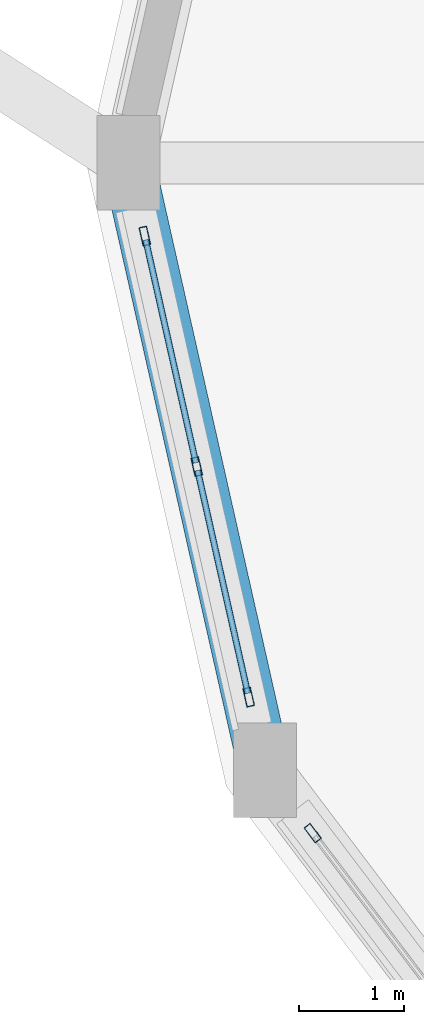
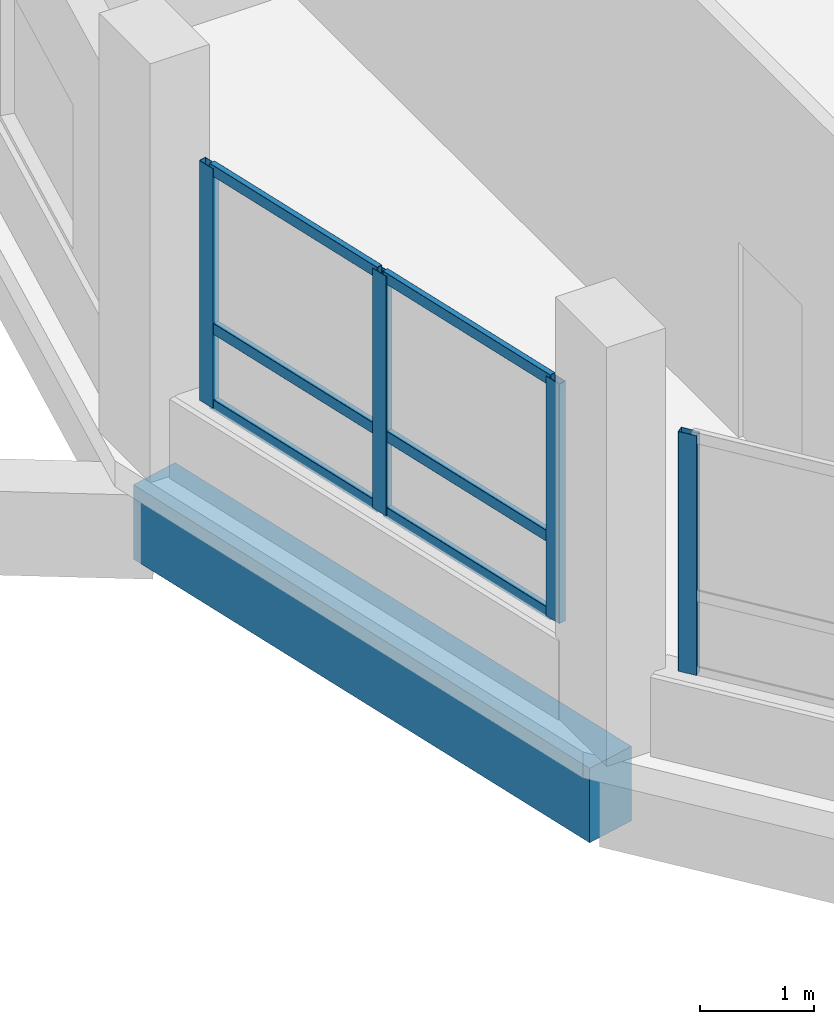
# One storey, part 57 of 129: 10 members, 1 beam, 2 elements without a shape of their own.
"""IFC4 building model written with IfcOpenShell, lengths in metres."""

from ifc_helpers import new_model, si_unit, direction, frame, origin, origin_2d, place, context, subcontext, project, spatial, rectangle, hollow_rectangle, extrude, material, layer, layer_set, material_profile, profile_set, type_object, element, aggregate, save


model = new_model("IFC4")

# Units and contexts
model_context = context("Model", 3, precision=1e-05, world=origin(), true_north=direction((0.0, 1.0)))
body_context = subcontext(model_context, "Body", "Model", "MODEL_VIEW")
ifc_project = project(units=[si_unit("LENGTHUNIT", "METRE"), si_unit("AREAUNIT", "SQUARE_METRE"), si_unit("VOLUMEUNIT", "CUBIC_METRE"), si_unit("PLANEANGLEUNIT", "RADIAN"), si_unit("MASSUNIT", "GRAM", prefix="KILO")], contexts=[model_context])

# Site, building, storey
site_placement = place(None, origin())
site = spatial("IfcSite", under=ifc_project, at=site_placement, CompositionType="ELEMENT")
building_placement = place(site_placement, origin())
building = spatial("IfcBuilding", under=site, at=building_placement, Name="Vespera Passage Community Centre", CompositionType="ELEMENT")
storey_placement = place(building_placement, origin())
storey = spatial("IfcBuildingStorey", under=building, at=storey_placement, Name="L00", CompositionType="ELEMENT", Elevation=0.0)

# Beam
ifc_material_1 = material(Name="Concrete f'c 35 MPa", Category="concrete")
ifc_material_profile_1 = material_profile(ifc_material_1, rectangle(XDim=0.5, YDim=0.800048828125, at=origin_2d()), Name="RC500X800")
ifc_profile_set_1 = profile_set([ifc_material_profile_1], Name="Concrete f'c 35 MPa")
beam_type = type_object("IfcBeamType", Name="BM-SP-500X800E", PredefinedType="SPANDREL", material=ifc_profile_set_1)
beam_placement = place(storey_placement, frame((125.89990234375, 89.5, -0.679931640625), z_axis=(0.219766204697, -0.9755525692, 0.0), x_axis=(0.9755525692, 0.219766204697, 0.0)))
element("IfcBeam", 1, at=beam_placement, inside=storey, type_object=beam_type, Name="V2 L00 Perimeter Spandrel 9", PredefinedType="SPANDREL", context=body_context, shape_type="SweptSolid", body=[
    extrude(rectangle(XDim=0.5, YDim=0.800048828125, at=origin_2d()), origin(), (0.0, 0.0, 1.0), 5.92333984375),
])

# Curtain wall, members
ifc_material_2 = material(Name="Anodized aluminium 6063-T6", Category="aluminium")
ifc_layer_1 = layer(ifc_material_2, 0.159912109375)
ifc_layer_set_1 = layer_set([ifc_layer_1], Name="Anodized aluminium 6063-T6")
curtain_wall_type_1 = type_object("IfcCurtainWallType", Name="CW-89E", PredefinedType="NOTDEFINED", material=ifc_layer_set_1)
curtain_wall_1_placement = place(storey_placement, origin())
curtain_wall_1 = element("IfcCurtainWall", 2, at=curtain_wall_1_placement, inside=storey, type_object=curtain_wall_type_1, Name="Sports Drum Ribbon Curtain Wall L00.9", PredefinedType="NOTDEFINED")
ifc_material_3 = material(Name="Anodized aluminium 6063-T6", Category="aluminium")
ifc_material_profile_2 = material_profile(ifc_material_3, hollow_rectangle(XDim=0.074951171875, YDim=0.179931640625, WallThickness=0.0048828125, InnerFilletRadius=0.00244140625, OuterFilletRadius=0.0048828125, at=origin_2d()), Name="ALU180X75X5")
ifc_profile_set_2 = profile_set([ifc_material_profile_2], Name="Anodized aluminium 6063-T6")
member_type_1 = type_object("IfcMemberType", Name="MB-CWM-180E", PredefinedType="MULLION", material=ifc_profile_set_2)
member_1_placement = place(storey_placement, frame((127.044921875, 84.417724609375, 0.85009765625), z_axis=(0.0, 0.0, 1.0), x_axis=(-0.975553383073, -0.219762591846, 0.0)))
member_1 = element("IfcMember", 3, at=member_1_placement, type_object=member_type_1, Name="CW-89E mullion 1", PredefinedType="MULLION", context=body_context, shape_type="SweptSolid", body=[
    extrude(hollow_rectangle(XDim=0.074951171875, YDim=0.179931640625, WallThickness=0.0048828125, InnerFilletRadius=0.00244140625, OuterFilletRadius=0.0048828125, at=origin_2d()), origin(), (0.0, 0.0, 1.0), 2.574951171875),
])
member_2_placement = place(storey_placement, frame((126.55078125, 86.61083984375, 0.85009765625), z_axis=(0.0, 0.0, 1.0), x_axis=(-0.975553383073, -0.219762591846, 0.0)))
member_2 = element("IfcMember", 4, at=member_2_placement, type_object=member_type_1, Name="CW-89E mullion 2", PredefinedType="MULLION", context=body_context, shape_type="SweptSolid", body=[
    extrude(hollow_rectangle(XDim=0.074951171875, YDim=0.179931640625, WallThickness=0.0048828125, InnerFilletRadius=0.00244140625, OuterFilletRadius=0.0048828125, at=origin_2d()), origin(), (0.0, 0.0, 1.0), 2.574951171875),
])
member_3_placement = place(storey_placement, frame((126.056884765625, 88.8037109375, 0.85009765625), z_axis=(0.0, 0.0, 1.0), x_axis=(-0.975553383073, -0.219762591846, 0.0)))
member_3 = element("IfcMember", 5, at=member_3_placement, type_object=member_type_1, Name="CW-89E mullion 3", PredefinedType="MULLION", context=body_context, shape_type="SweptSolid", body=[
    extrude(hollow_rectangle(XDim=0.074951171875, YDim=0.179931640625, WallThickness=0.0048828125, InnerFilletRadius=0.00244140625, OuterFilletRadius=0.0048828125, at=origin_2d()), origin(), (0.0, 0.0, 1.0), 2.574951171875),
])

# Curtain wall, member
ifc_material_4 = material(Name="Anodized aluminium 6063-T6", Category="aluminium")
ifc_layer_2 = layer(ifc_material_4, 0.159912109375)
ifc_layer_set_2 = layer_set([ifc_layer_2], Name="Anodized aluminium 6063-T6")
curtain_wall_type_2 = type_object("IfcCurtainWallType", Name="CW-90E", PredefinedType="NOTDEFINED", material=ifc_layer_set_2)
curtain_wall_2_placement = place(storey_placement, origin())
curtain_wall_2 = element("IfcCurtainWall", 6, at=curtain_wall_2_placement, inside=storey, type_object=curtain_wall_type_2, Name="Sports Drum Ribbon Curtain Wall L00.10", PredefinedType="NOTDEFINED")
member_4_placement = place(storey_placement, frame((127.654052734375, 83.123779296875, 0.85009765625), z_axis=(0.0, 0.0, 1.0), x_axis=(-0.797434495654, -0.603405522961, 0.0)))
member_4 = element("IfcMember", 7, at=member_4_placement, type_object=member_type_1, Name="CW-90E mullion 3", PredefinedType="MULLION", context=body_context, shape_type="SweptSolid", body=[
    extrude(hollow_rectangle(XDim=0.074951171875, YDim=0.179931640625, WallThickness=0.0048828125, InnerFilletRadius=0.00244140625, OuterFilletRadius=0.0048828125, at=origin_2d()), origin(), (0.0, 0.0, 1.0), 2.574951171875),
])
aggregate(curtain_wall_2, [member_4])

# Member
ifc_material_5 = material(Name="Anodized aluminium 6063-T6", Category="aluminium")
ifc_material_profile_3 = material_profile(ifc_material_5, hollow_rectangle(XDim=0.06005859375, YDim=0.1201171875, WallThickness=0.00390625, InnerFilletRadius=0.001953125, OuterFilletRadius=0.00390625, at=origin_2d()), Name="ALU120X60X4")
ifc_profile_set_3 = profile_set([ifc_material_profile_3], Name="Anodized aluminium 6063-T6")
member_type_2 = type_object("IfcMemberType", Name="MB-CWT-120E", PredefinedType="USERDEFINED", material=ifc_profile_set_3)
member_5_placement = place(storey_placement, frame((127.03662109375, 84.454345703125, 0.8798828125), z_axis=(-0.219760819775, 0.975553782265, 0.0), x_axis=(-0.975553782265, -0.219760819775, 0.0)))
member_5 = element("IfcMember", 8, at=member_5_placement, type_object=member_type_2, Name="CW-89E transom 1.1", ObjectType="TRANSOM", PredefinedType="USERDEFINED", context=body_context, shape_type="SweptSolid", body=[
    extrude(hollow_rectangle(XDim=0.06005859375, YDim=0.1201171875, WallThickness=0.00390625, InnerFilletRadius=0.001953125, OuterFilletRadius=0.00390625, at=origin_2d()), origin(), (0.0, 0.0, 1.0), 2.173095703125),
])

member_6_placement = place(storey_placement, frame((127.03662109375, 84.454345703125, 1.699951171875), z_axis=(-0.219760819775, 0.975553782265, 0.0), x_axis=(-0.975553782265, -0.219760819775, 0.0)))
member_6 = element("IfcMember", 9, at=member_6_placement, type_object=member_type_2, Name="CW-89E transom 1.2", ObjectType="TRANSOM", PredefinedType="USERDEFINED", context=body_context, shape_type="SweptSolid", body=[
    extrude(hollow_rectangle(XDim=0.06005859375, YDim=0.1201171875, WallThickness=0.00390625, InnerFilletRadius=0.001953125, OuterFilletRadius=0.00390625, at=origin_2d()), origin(), (0.0, 0.0, 1.0), 2.173095703125),
])

member_7_placement = place(storey_placement, frame((127.03662109375, 84.454345703125, 3.39501953125), z_axis=(-0.219760819775, 0.975553782265, 0.0), x_axis=(-0.975553782265, -0.219760819775, 0.0)))
member_7 = element("IfcMember", 10, at=member_7_placement, type_object=member_type_2, Name="CW-89E transom 1.3", ObjectType="TRANSOM", PredefinedType="USERDEFINED", context=body_context, shape_type="SweptSolid", body=[
    extrude(hollow_rectangle(XDim=0.06005859375, YDim=0.1201171875, WallThickness=0.00390625, InnerFilletRadius=0.001953125, OuterFilletRadius=0.00390625, at=origin_2d()), origin(), (0.0, 0.0, 1.0), 2.173095703125),
])

member_8_placement = place(storey_placement, frame((126.542724609375, 86.647216796875, 0.8798828125), z_axis=(-0.219760819775, 0.975553782265, 0.0), x_axis=(-0.975553782265, -0.219760819775, 0.0)))
member_8 = element("IfcMember", 11, at=member_8_placement, type_object=member_type_2, Name="CW-89E transom 2.1", ObjectType="TRANSOM", PredefinedType="USERDEFINED", context=body_context, shape_type="SweptSolid", body=[
    extrude(hollow_rectangle(XDim=0.06005859375, YDim=0.1201171875, WallThickness=0.00390625, InnerFilletRadius=0.001953125, OuterFilletRadius=0.00390625, at=origin_2d()), origin(), (0.0, 0.0, 1.0), 2.173095703125),
])

member_9_placement = place(storey_placement, frame((126.542724609375, 86.647216796875, 1.699951171875), z_axis=(-0.219760819775, 0.975553782265, 0.0), x_axis=(-0.975553782265, -0.219760819775, 0.0)))
member_9 = element("IfcMember", 12, at=member_9_placement, type_object=member_type_2, Name="CW-89E transom 2.2", ObjectType="TRANSOM", PredefinedType="USERDEFINED", context=body_context, shape_type="SweptSolid", body=[
    extrude(hollow_rectangle(XDim=0.06005859375, YDim=0.1201171875, WallThickness=0.00390625, InnerFilletRadius=0.001953125, OuterFilletRadius=0.00390625, at=origin_2d()), origin(), (0.0, 0.0, 1.0), 2.173095703125),
])

member_10_placement = place(storey_placement, frame((126.542724609375, 86.647216796875, 3.39501953125), z_axis=(-0.219760819775, 0.975553782265, 0.0), x_axis=(-0.975553782265, -0.219760819775, 0.0)))
member_10 = element("IfcMember", 13, at=member_10_placement, type_object=member_type_2, Name="CW-89E transom 2.3", ObjectType="TRANSOM", PredefinedType="USERDEFINED", context=body_context, shape_type="SweptSolid", body=[
    extrude(hollow_rectangle(XDim=0.06005859375, YDim=0.1201171875, WallThickness=0.00390625, InnerFilletRadius=0.001953125, OuterFilletRadius=0.00390625, at=origin_2d()), origin(), (0.0, 0.0, 1.0), 2.173095703125),
])

aggregate(curtain_wall_1, [member_1, member_2, member_3, member_5, member_6, member_7, member_8, member_9, member_10])

save(model, "model.ifc")
